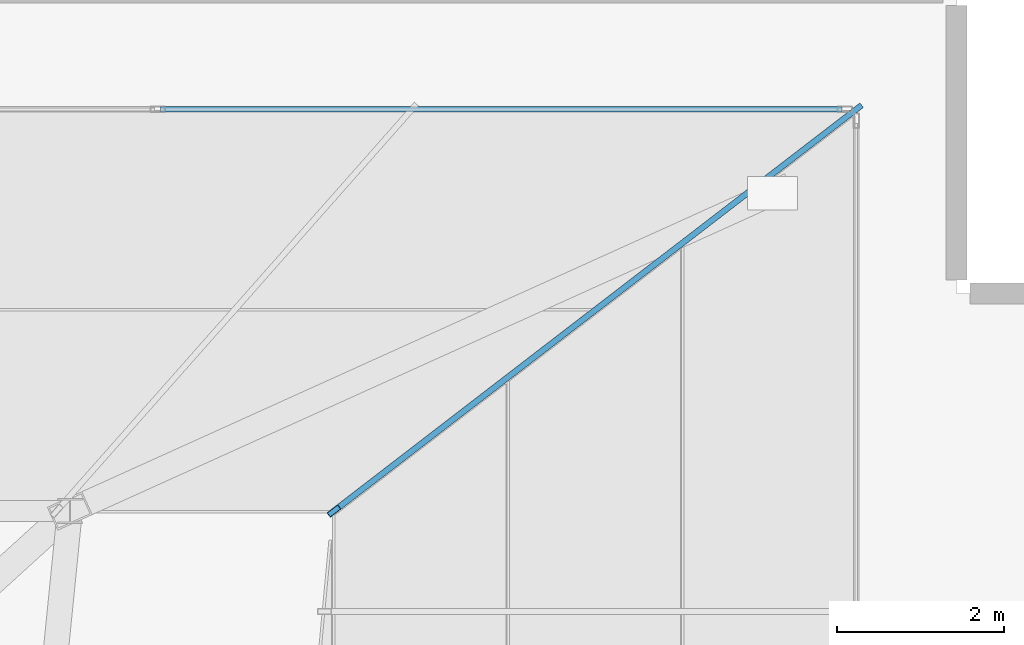
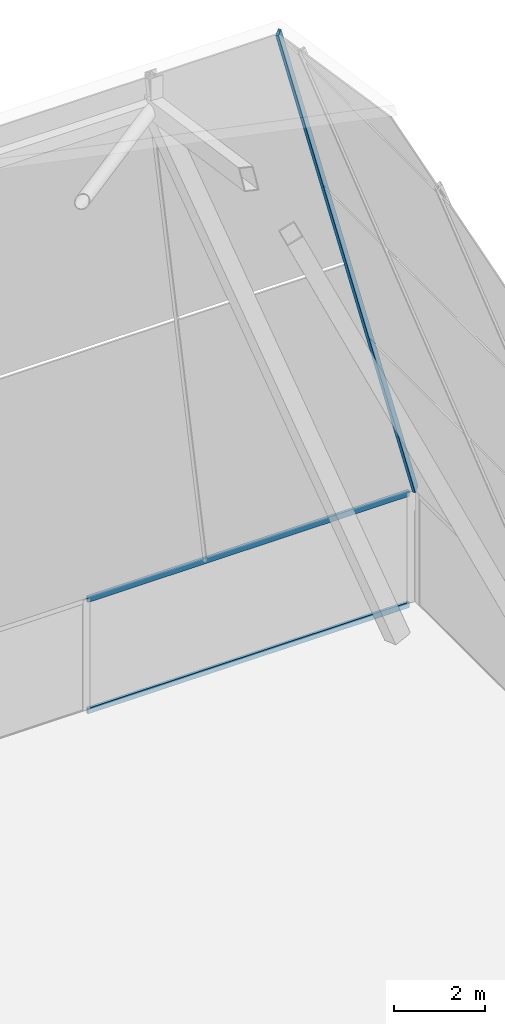
# One storey, part 28 of 32: 3 members, 1 element without a shape of its own.
"""IFC4 building model written with IfcOpenShell, lengths in metres."""

from ifc_helpers import new_model, si_unit, direction, frame, origin, origin_2d, place, context, subcontext, project, spatial, hollow_rectangle, extrude, source, transform, mapped, material, layer, layer_set, material_profile, profile_set, type_object, element, aggregate, save


model = new_model("IFC4")

# Units and contexts
model_context = context("Model", 3, precision=1e-05, world=origin(), true_north=direction((0.0, 1.0)))
body_context = subcontext(model_context, "Body", "Model", "MODEL_VIEW")
ifc_project = project(units=[si_unit("LENGTHUNIT", "METRE"), si_unit("AREAUNIT", "SQUARE_METRE"), si_unit("VOLUMEUNIT", "CUBIC_METRE"), si_unit("PLANEANGLEUNIT", "RADIAN"), si_unit("MASSUNIT", "GRAM", prefix="KILO")], contexts=[model_context])

# Site, building, storey
site_placement = place(None, origin())
site = spatial("IfcSite", under=ifc_project, at=site_placement, CompositionType="ELEMENT")
building_placement = place(site_placement, origin())
building = spatial("IfcBuilding", under=site, at=building_placement, Name="Sumidabori Civic Tower", CompositionType="ELEMENT")
storey_placement = place(building_placement, frame((0.0, 0.0, 298.199951171875)))
storey = spatial("IfcBuildingStorey", under=building, at=storey_placement, Name="RF Roof Crown", CompositionType="ELEMENT", Elevation=298.199951171875)

# Curtain wall, members
ifc_material = material(Name="Anodised Bronze Aluminium AW-6063-T6", Category="aluminium")
ifc_layer = layer(ifc_material, 0.179931640625, Name="Anodised Bronze Aluminium AW-6063-T6")
ifc_layer_set = layer_set([ifc_layer], Name="Anodised Bronze Aluminium AW-6063-T6")
curtain_wall_type = type_object("IfcCurtainWallType", Name="CW-SYS-6", PredefinedType="NOTDEFINED", material=ifc_layer_set)
curtain_wall_placement = place(storey_placement, origin())
curtain_wall = element("IfcCurtainWall", 1, at=curtain_wall_placement, inside=storey, type_object=curtain_wall_type, Name="Glass-Point Crown North Shoulder Curtain Wall", PredefinedType="NOTDEFINED")
ifc_material_profile_1 = material_profile(ifc_material, hollow_rectangle(XDim=0.06494140625, YDim=0.14990234375, WallThickness=0.0048828125, at=origin_2d()), Name="ALU TRANSOM 150x65")
ifc_profile_set_1 = profile_set([ifc_material_profile_1], Name="Anodised Bronze Aluminium AW-6063-T6")
member_type_1 = type_object("IfcMemberType", Name="CW-TRN-150", PredefinedType="USERDEFINED", material=ifc_profile_set_1)
shared_shape_1 = source(origin(), body_context, "Body", "SweptSolid", [
    extrude(hollow_rectangle(XDim=0.06494140625, YDim=0.14990234375, WallThickness=0.0048828125, at=origin_2d()), origin(), (0.0, 0.0, 1.0), 8.14501953125),
])
member_1_placement = place(storey_placement, frame((16.429931640625, 22.800048828125, 0.032470703125), z_axis=(-1.0, 0.0, 0.0), x_axis=(0.0, -1.0, 0.0)))
member_1 = element("IfcMember", 2, at=member_1_placement, type_object=member_type_1, Name="CW-6 transom 1.1", ObjectType="TRANSOM", PredefinedType="USERDEFINED", context=body_context, shape_type="MappedRepresentation", body=[
    mapped(shared_shape_1, transform((0.0, 0.0, 0.0), x_axis=(1.0, 0.0, 0.0), y_axis=(0.0, 1.0, 0.0), z_axis=(0.0, 0.0, 1.0), scale=1.0)),
])
member_2_placement = place(storey_placement, frame((16.429931640625, 22.800048828125, 3.017578125), z_axis=(-1.0, 0.0, 0.0), x_axis=(0.0, -1.0, 0.0)))
member_2 = element("IfcMember", 3, at=member_2_placement, type_object=member_type_1, Name="CW-6 transom 1.2", ObjectType="TRANSOM", PredefinedType="USERDEFINED", context=body_context, shape_type="MappedRepresentation", body=[
    mapped(shared_shape_1, transform((0.0, 0.0, 0.0), x_axis=(1.0, 0.0, 0.0), y_axis=(0.0, 1.0, 0.0), z_axis=(0.0, 0.0, 1.0), scale=1.0)),
])
ifc_material_profile_2 = material_profile(ifc_material, hollow_rectangle(XDim=0.070068359375, YDim=0.179931640625, WallThickness=0.006103515625, at=origin_2d()), Name="ALU MULLION 180x70")
ifc_profile_set_2 = profile_set([ifc_material_profile_2], Name="Anodised Bronze Aluminium AW-6063-T6")
member_type_2 = type_object("IfcMemberType", Name="CW-MUL-180", PredefinedType="MULLION", material=ifc_profile_set_2)
shared_shape_2 = source(origin(), body_context, "Body", "SweptSolid", [
    extrude(hollow_rectangle(XDim=0.070068359375, YDim=0.179931640625, WallThickness=0.006103515625, at=origin_2d()), origin(), (0.0, 0.0, 1.0), 19.04443359375),
])
member_3_placement = place(storey_placement, frame((16.60009765625, 22.800048828125, 3.050048828125), z_axis=(-0.327784006216, -0.252045889406, 0.910511128379), x_axis=(0.609565413155, -0.792735773814, 0.0)))
member_3 = element("IfcMember", 4, at=member_3_placement, type_object=member_type_2, Name="Crown North-East Hip Mullion", PredefinedType="MULLION", context=body_context, shape_type="MappedRepresentation", body=[
    mapped(shared_shape_2, transform((0.0, 0.0, 0.0), x_axis=(1.0, 0.0, 0.0), y_axis=(0.0, 1.0, 0.0), z_axis=(0.0, 0.0, 1.0), scale=1.0)),
])
aggregate(curtain_wall, [member_1, member_2, member_3])

save(model, "model.ifc")
